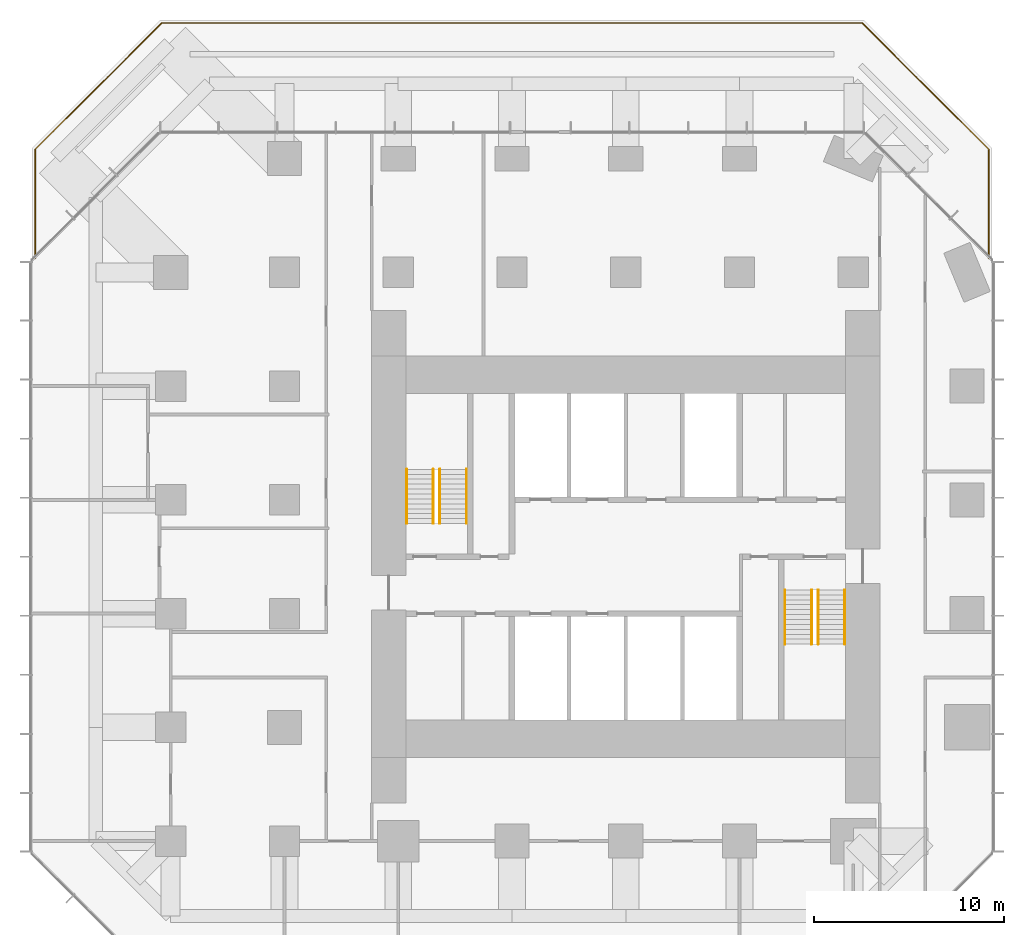
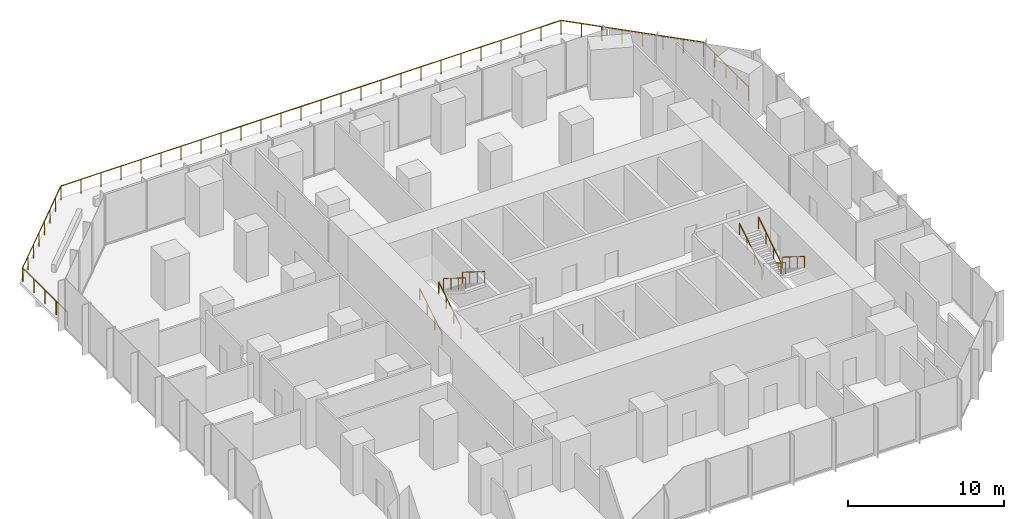
# One storey, part 11 of 11: 9 railings.
"""IFC4 building model written with IfcOpenShell, lengths in metres."""

from ifc_helpers import new_model, si_unit, direction, frame, origin, origin_2d, place, context, subcontext, project, spatial, circle, extrude, material, type_object, element, save


model = new_model("IFC4")

# Units and contexts
model_context = context("Model", 3, precision=1e-05, world=origin(), true_north=direction((0.0, 1.0)))
body_context = subcontext(model_context, "Body", "Model", "MODEL_VIEW")
ifc_project = project(units=[si_unit("LENGTHUNIT", "METRE"), si_unit("AREAUNIT", "SQUARE_METRE"), si_unit("VOLUMEUNIT", "CUBIC_METRE"), si_unit("PLANEANGLEUNIT", "RADIAN"), si_unit("MASSUNIT", "GRAM", prefix="KILO")], contexts=[model_context])

# Site, building, storey
site_placement = place(None, origin())
site = spatial("IfcSite", under=ifc_project, at=site_placement, CompositionType="ELEMENT")
building_placement = place(site_placement, origin())
building = spatial("IfcBuilding", under=site, at=building_placement, Name="Highveld Stack Headquarters", CompositionType="ELEMENT")
storey_placement = place(building_placement, frame((0.0, 0.0, 117.199951171875)))
storey = spatial("IfcBuildingStorey", under=building, at=storey_placement, Name="L28", CompositionType="ELEMENT", Elevation=117.199951171875)

# Railings
ifc_material_1 = material(Name="Stainless steel handrail", Category="steel")
railing_type_1 = type_object("IfcRailingType", Name="STAIR HANDRAIL HR1 900", PredefinedType="HANDRAIL", material=ifc_material_1)
for number, where, name in (
    (1, (-5.550048828125, 4.75, 0.16259765625), "Handrail S1 L28 flight 1"),
    (2, (-4.14990234375, 4.75, 0.16259765625), "Handrail S1 L28 flight 1"),
):
    element("IfcRailing", number, at=place(storey_placement, frame(where)), inside=storey, type_object=railing_type_1, Name=name, PredefinedType="HANDRAIL", context=body_context, shape_type="SweptSolid", body=[
        extrude(circle(Radius=0.02392578125, at=origin_2d()), frame((0.0, 0.0, 0.8759765625), z_axis=(0.0, 0.848026770018, 0.529953391661), x_axis=(-1.0, 0.0, 0.0)), (0.0, 0.0, 1.0), 3.37255859375),
        extrude(circle(Radius=0.02099609375, at=origin_2d()), origin(), (0.0, 0.0, 1.0), 0.851806640625),
        extrude(circle(Radius=0.02099609375, at=origin_2d()), frame((0.0, 0.953369140625, 0.595703125)), (0.0, 0.0, 1.0), 0.851806640625),
        extrude(circle(Radius=0.02099609375, at=origin_2d()), frame((0.0, 1.90673828125, 1.191650390625)), (0.0, 0.0, 1.0), 0.851806640625),
        extrude(circle(Radius=0.02099609375, at=origin_2d()), frame((0.0, 2.860107421875, 1.787353515625)), (0.0, 0.0, 1.0), 0.851806640625),
    ])
for number, where, name in (
    (3, (-3.800048828125, 7.610107421875, 2.112548828125), "Handrail S1 L28 flight 2"),
    (4, (-2.39990234375, 7.610107421875, 2.112548828125), "Handrail S1 L28 flight 2"),
):
    element("IfcRailing", number, at=place(storey_placement, frame(where)), inside=storey, type_object=railing_type_1, Name=name, PredefinedType="HANDRAIL", context=body_context, shape_type="SweptSolid", body=[
        extrude(circle(Radius=0.02392578125, at=origin_2d()), frame((0.0, 0.0, 0.8759765625), z_axis=(0.0, -0.847994237388, 0.530005446535), x_axis=(1.0, 0.0, 0.0)), (0.0, 0.0, 1.0), 3.372802734375),
        extrude(circle(Radius=0.02099609375, at=origin_2d()), origin(), (0.0, 0.0, 1.0), 0.851806640625),
        extrude(circle(Radius=0.02099609375, at=origin_2d()), frame((0.0, -0.953369140625, 0.595947265625)), (0.0, 0.0, 1.0), 0.851806640625),
        extrude(circle(Radius=0.02099609375, at=origin_2d()), frame((0.0, -1.90673828125, 1.191650390625)), (0.0, 0.0, 1.0), 0.851806640625),
        extrude(circle(Radius=0.02099609375, at=origin_2d()), frame((0.0, -2.860107421875, 1.78759765625)), (0.0, 0.0, 1.0), 0.851806640625),
    ])
for number, where, name in (
    (5, (16.14990234375, 1.25, 0.16259765625), "Handrail S2 L28 flight 1"),
    (6, (17.550048828125, 1.25, 0.16259765625), "Handrail S2 L28 flight 1"),
):
    element("IfcRailing", number, at=place(storey_placement, frame(where)), inside=storey, type_object=railing_type_1, Name=name, PredefinedType="HANDRAIL", context=body_context, shape_type="SweptSolid", body=[
        extrude(circle(Radius=0.02392578125, at=origin_2d()), frame((0.0, 0.0, 0.8759765625), z_axis=(0.0, -0.848026770018, 0.529953391661), x_axis=(1.0, 0.0, 0.0)), (0.0, 0.0, 1.0), 3.37255859375),
        extrude(circle(Radius=0.02099609375, at=origin_2d()), origin(), (0.0, 0.0, 1.0), 0.851806640625),
        extrude(circle(Radius=0.02099609375, at=origin_2d()), frame((0.0, -0.953369140625, 0.595703125)), (0.0, 0.0, 1.0), 0.851806640625),
        extrude(circle(Radius=0.02099609375, at=origin_2d()), frame((0.0, -1.90673828125, 1.191650390625)), (0.0, 0.0, 1.0), 0.851806640625),
        extrude(circle(Radius=0.02099609375, at=origin_2d()), frame((0.0, -2.860107421875, 1.787353515625)), (0.0, 0.0, 1.0), 0.851806640625),
    ])
for number, where, name in (
    (7, (14.39990234375, -1.610107421875, 2.112548828125), "Handrail S2 L28 flight 2"),
    (8, (15.800048828125, -1.610107421875, 2.112548828125), "Handrail S2 L28 flight 2"),
):
    element("IfcRailing", number, at=place(storey_placement, frame(where)), inside=storey, type_object=railing_type_1, Name=name, PredefinedType="HANDRAIL", context=body_context, shape_type="SweptSolid", body=[
        extrude(circle(Radius=0.02392578125, at=origin_2d()), frame((0.0, 0.0, 0.8759765625), z_axis=(0.0, 0.847994237388, 0.530005446535), x_axis=(-1.0, 0.0, 0.0)), (0.0, 0.0, 1.0), 3.372802734375),
        extrude(circle(Radius=0.02099609375, at=origin_2d()), origin(), (0.0, 0.0, 1.0), 0.851806640625),
        extrude(circle(Radius=0.02099609375, at=origin_2d()), frame((0.0, 0.953369140625, 0.595947265625)), (0.0, 0.0, 1.0), 0.851806640625),
        extrude(circle(Radius=0.02099609375, at=origin_2d()), frame((0.0, 1.90673828125, 1.191650390625)), (0.0, 0.0, 1.0), 0.851806640625),
        extrude(circle(Radius=0.02099609375, at=origin_2d()), frame((0.0, 2.860107421875, 1.78759765625)), (0.0, 0.0, 1.0), 0.851806640625),
    ])
ifc_material_2 = material(Name="Laminated glass balustrade with bronze handrail", Category="glass")
railing_type_2 = type_object("IfcRailingType", Name="TERRACE GUARD GR1 1100 GLASS", PredefinedType="GUARDRAIL", material=ifc_material_2)
railing_placement = place(storey_placement, frame((-25.14990234375, 18.75048828125, 0.0)))
element("IfcRailing", 9, at=railing_placement, inside=storey, type_object=railing_type_2, Name="Terrace guard L28 1", PredefinedType="GUARDRAIL", context=body_context, shape_type="SweptSolid", body=[
    extrude(circle(Radius=0.02392578125, at=origin_2d()), frame((0.0, 0.0, 1.076171875), z_axis=(0.0, 1.0, 0.0), x_axis=(-1.0, 0.0, 0.0)), (0.0, 0.0, 1.0), 5.725830078125),
    extrude(circle(Radius=0.02392578125, at=origin_2d()), frame((0.0, 5.725830078125, 1.076171875), z_axis=(0.707106781187, 0.707106781187, 0.0), x_axis=(-0.707106781187, 0.707106781187, 0.0)), (0.0, 0.0, 1.0), 9.43798828125),
    extrude(circle(Radius=0.02392578125, at=origin_2d()), frame((6.673583984375, 12.3994140625, 1.076171875), z_axis=(1.0, 0.0, 0.0), x_axis=(0.0, 1.0, 0.0)), (0.0, 0.0, 1.0), 36.95263671875),
    extrude(circle(Radius=0.02392578125, at=origin_2d()), frame((43.626220703125, 12.3994140625, 1.076171875), z_axis=(0.707106781187, -0.707106781187, 0.0), x_axis=(0.707106781187, 0.707106781187, 0.0)), (0.0, 0.0, 1.0), 9.43798828125),
    extrude(circle(Radius=0.02392578125, at=origin_2d()), frame((50.2998046875, 5.725830078125, 1.076171875), z_axis=(0.0, -1.0, 0.0), x_axis=(1.0, 0.0, 0.0)), (0.0, 0.0, 1.0), 5.725830078125),
    extrude(circle(Radius=0.02099609375, at=origin_2d()), origin(), (0.0, 0.0, 1.0), 1.052001953125),
    extrude(circle(Radius=0.02099609375, at=origin_2d()), frame((0.0, 1.431396484375, 0.0)), (0.0, 0.0, 1.0), 1.052001953125),
    extrude(circle(Radius=0.02099609375, at=origin_2d()), frame((0.0, 2.86279296875, 0.0)), (0.0, 0.0, 1.0), 1.052001953125),
    extrude(circle(Radius=0.02099609375, at=origin_2d()), frame((0.0, 4.29443359375, 0.0)), (0.0, 0.0, 1.0), 1.052001953125),
    extrude(circle(Radius=0.02099609375, at=origin_2d()), frame((0.0, 5.725830078125, 0.0)), (0.0, 0.0, 1.0), 1.052001953125),
    extrude(circle(Radius=0.02099609375, at=origin_2d()), frame((0.953369140625, 6.67919921875, 0.0)), (0.0, 0.0, 1.0), 1.052001953125),
    extrude(circle(Radius=0.02099609375, at=origin_2d()), frame((1.90673828125, 7.632568359375, 0.0)), (0.0, 0.0, 1.0), 1.052001953125),
    extrude(circle(Radius=0.02099609375, at=origin_2d()), frame((2.860107421875, 8.5859375, 0.0)), (0.0, 0.0, 1.0), 1.052001953125),
    extrude(circle(Radius=0.02099609375, at=origin_2d()), frame((3.8134765625, 9.539306640625, 0.0)), (0.0, 0.0, 1.0), 1.052001953125),
    extrude(circle(Radius=0.02099609375, at=origin_2d()), frame((4.766845703125, 10.49267578125, 0.0)), (0.0, 0.0, 1.0), 1.052001953125),
    extrude(circle(Radius=0.02099609375, at=origin_2d()), frame((5.72021484375, 11.446044921875, 0.0)), (0.0, 0.0, 1.0), 1.052001953125),
    extrude(circle(Radius=0.02099609375, at=origin_2d()), frame((6.673583984375, 12.3994140625, 0.0)), (0.0, 0.0, 1.0), 1.052001953125),
    extrude(circle(Radius=0.02099609375, at=origin_2d()), frame((8.151611328125, 12.3994140625, 0.0)), (0.0, 0.0, 1.0), 1.052001953125),
    extrude(circle(Radius=0.02099609375, at=origin_2d()), frame((9.6298828125, 12.3994140625, 0.0)), (0.0, 0.0, 1.0), 1.052001953125),
    extrude(circle(Radius=0.02099609375, at=origin_2d()), frame((11.10791015625, 12.3994140625, 0.0)), (0.0, 0.0, 1.0), 1.052001953125),
    extrude(circle(Radius=0.02099609375, at=origin_2d()), frame((12.5859375, 12.3994140625, 0.0)), (0.0, 0.0, 1.0), 1.052001953125),
    extrude(circle(Radius=0.02099609375, at=origin_2d()), frame((14.064208984375, 12.3994140625, 0.0)), (0.0, 0.0, 1.0), 1.052001953125),
    extrude(circle(Radius=0.02099609375, at=origin_2d()), frame((15.542236328125, 12.3994140625, 0.0)), (0.0, 0.0, 1.0), 1.052001953125),
    extrude(circle(Radius=0.02099609375, at=origin_2d()), frame((17.020263671875, 12.3994140625, 0.0)), (0.0, 0.0, 1.0), 1.052001953125),
    extrude(circle(Radius=0.02099609375, at=origin_2d()), frame((18.49853515625, 12.3994140625, 0.0)), (0.0, 0.0, 1.0), 1.052001953125),
    extrude(circle(Radius=0.02099609375, at=origin_2d()), frame((19.9765625, 12.3994140625, 0.0)), (0.0, 0.0, 1.0), 1.052001953125),
    extrude(circle(Radius=0.02099609375, at=origin_2d()), frame((21.45458984375, 12.3994140625, 0.0)), (0.0, 0.0, 1.0), 1.052001953125),
    extrude(circle(Radius=0.02099609375, at=origin_2d()), frame((22.932861328125, 12.3994140625, 0.0)), (0.0, 0.0, 1.0), 1.052001953125),
    extrude(circle(Radius=0.02099609375, at=origin_2d()), frame((24.410888671875, 12.3994140625, 0.0)), (0.0, 0.0, 1.0), 1.052001953125),
    extrude(circle(Radius=0.02099609375, at=origin_2d()), frame((25.888916015625, 12.3994140625, 0.0)), (0.0, 0.0, 1.0), 1.052001953125),
    extrude(circle(Radius=0.02099609375, at=origin_2d()), frame((27.366943359375, 12.3994140625, 0.0)), (0.0, 0.0, 1.0), 1.052001953125),
    extrude(circle(Radius=0.02099609375, at=origin_2d()), frame((28.84521484375, 12.3994140625, 0.0)), (0.0, 0.0, 1.0), 1.052001953125),
    extrude(circle(Radius=0.02099609375, at=origin_2d()), frame((30.3232421875, 12.3994140625, 0.0)), (0.0, 0.0, 1.0), 1.052001953125),
    extrude(circle(Radius=0.02099609375, at=origin_2d()), frame((31.80126953125, 12.3994140625, 0.0)), (0.0, 0.0, 1.0), 1.052001953125),
    extrude(circle(Radius=0.02099609375, at=origin_2d()), frame((33.279541015625, 12.3994140625, 0.0)), (0.0, 0.0, 1.0), 1.052001953125),
    extrude(circle(Radius=0.02099609375, at=origin_2d()), frame((34.757568359375, 12.3994140625, 0.0)), (0.0, 0.0, 1.0), 1.052001953125),
    extrude(circle(Radius=0.02099609375, at=origin_2d()), frame((36.235595703125, 12.3994140625, 0.0)), (0.0, 0.0, 1.0), 1.052001953125),
    extrude(circle(Radius=0.02099609375, at=origin_2d()), frame((37.7138671875, 12.3994140625, 0.0)), (0.0, 0.0, 1.0), 1.052001953125),
    extrude(circle(Radius=0.02099609375, at=origin_2d()), frame((39.19189453125, 12.3994140625, 0.0)), (0.0, 0.0, 1.0), 1.052001953125),
    extrude(circle(Radius=0.02099609375, at=origin_2d()), frame((40.669921875, 12.3994140625, 0.0)), (0.0, 0.0, 1.0), 1.052001953125),
    extrude(circle(Radius=0.02099609375, at=origin_2d()), frame((42.148193359375, 12.3994140625, 0.0)), (0.0, 0.0, 1.0), 1.052001953125),
    extrude(circle(Radius=0.02099609375, at=origin_2d()), frame((43.626220703125, 12.3994140625, 0.0)), (0.0, 0.0, 1.0), 1.052001953125),
    extrude(circle(Radius=0.02099609375, at=origin_2d()), frame((44.57958984375, 11.446044921875, 0.0)), (0.0, 0.0, 1.0), 1.052001953125),
    extrude(circle(Radius=0.02099609375, at=origin_2d()), frame((45.532958984375, 10.49267578125, 0.0)), (0.0, 0.0, 1.0), 1.052001953125),
    extrude(circle(Radius=0.02099609375, at=origin_2d()), frame((46.486328125, 9.539306640625, 0.0)), (0.0, 0.0, 1.0), 1.052001953125),
    extrude(circle(Radius=0.02099609375, at=origin_2d()), frame((47.439697265625, 8.5859375, 0.0)), (0.0, 0.0, 1.0), 1.052001953125),
    extrude(circle(Radius=0.02099609375, at=origin_2d()), frame((48.39306640625, 7.632568359375, 0.0)), (0.0, 0.0, 1.0), 1.052001953125),
    extrude(circle(Radius=0.02099609375, at=origin_2d()), frame((49.346435546875, 6.67919921875, 0.0)), (0.0, 0.0, 1.0), 1.052001953125),
    extrude(circle(Radius=0.02099609375, at=origin_2d()), frame((50.2998046875, 5.725830078125, 0.0)), (0.0, 0.0, 1.0), 1.052001953125),
    extrude(circle(Radius=0.02099609375, at=origin_2d()), frame((50.2998046875, 4.29443359375, 0.0)), (0.0, 0.0, 1.0), 1.052001953125),
    extrude(circle(Radius=0.02099609375, at=origin_2d()), frame((50.2998046875, 2.86279296875, 0.0)), (0.0, 0.0, 1.0), 1.052001953125),
    extrude(circle(Radius=0.02099609375, at=origin_2d()), frame((50.2998046875, 1.431396484375, 0.0)), (0.0, 0.0, 1.0), 1.052001953125),
    extrude(circle(Radius=0.02099609375, at=origin_2d()), frame((50.2998046875, 0.0, 0.0)), (0.0, 0.0, 1.0), 1.052001953125),
])

save(model, "model.ifc")
